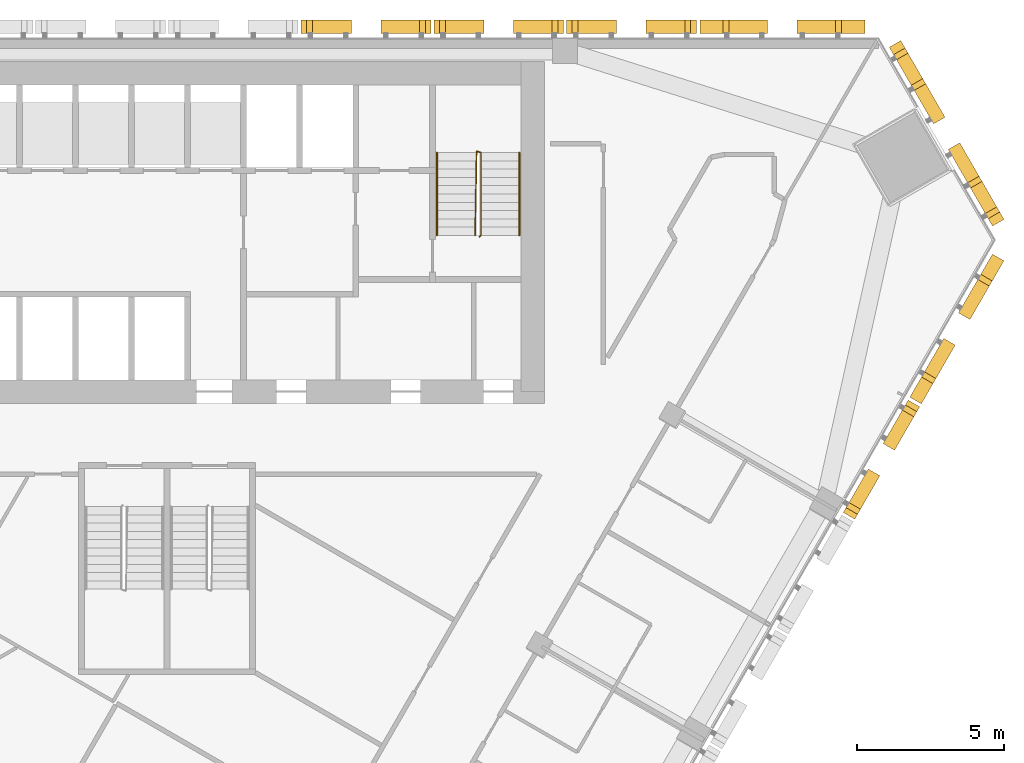
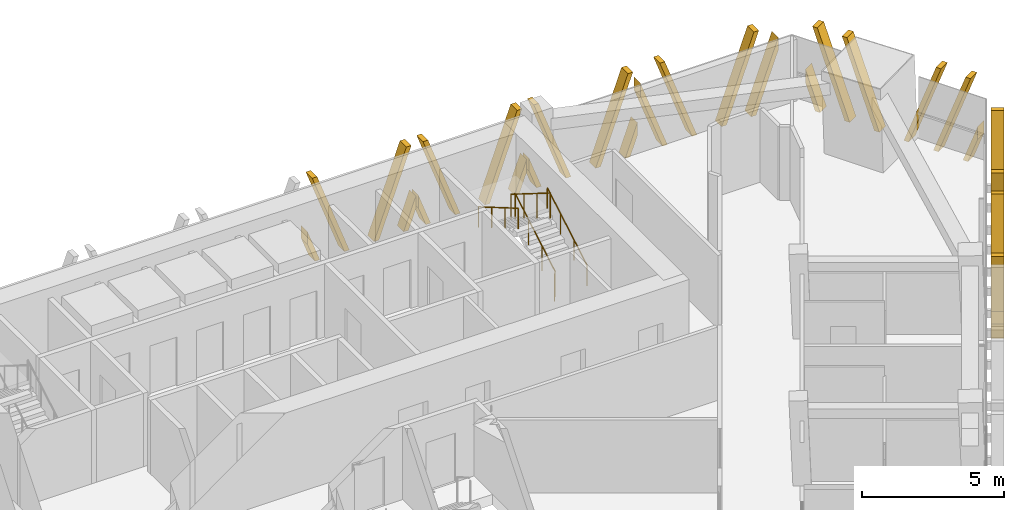
# One storey, part 15 of 16: 7 shading devices, 3 railings.
"""IFC4 building model written with IfcOpenShell, lengths in metres."""

from ifc_helpers import new_model, si_unit, direction, frame, origin, origin_2d, place, context, subcontext, project, spatial, polyline, circle, outline, extrude, source, transform, mapped, material, type_object, element, save


model = new_model("IFC4")

# Units and contexts
model_context = context("Model", 3, precision=1e-05, world=origin(), true_north=direction((0.0, 1.0)))
body_context = subcontext(model_context, "Body", "Model", "MODEL_VIEW")
ifc_project = project(units=[si_unit("LENGTHUNIT", "METRE"), si_unit("AREAUNIT", "SQUARE_METRE"), si_unit("VOLUMEUNIT", "CUBIC_METRE"), si_unit("PLANEANGLEUNIT", "RADIAN"), si_unit("MASSUNIT", "GRAM", prefix="KILO")], contexts=[model_context])

# Site, building, storey
site_placement = place(None, origin())
site = spatial("IfcSite", under=ifc_project, at=site_placement, CompositionType="ELEMENT")
building_placement = place(site_placement, origin())
building = spatial("IfcBuilding", under=site, at=building_placement, Name="Altiplano Prism Tower", CompositionType="ELEMENT")
storey_placement = place(building_placement, frame((0.0, 0.0, 124.199951171875)))
storey = spatial("IfcBuildingStorey", under=building, at=storey_placement, Name="L31", CompositionType="ELEMENT", Elevation=124.199951171875)

# Railings
ifc_material_1 = material(Name="Steel S355", Category="steel")
railing_type_1 = type_object("IfcRailingType", Name="Stair guard 1100", PredefinedType="GUARDRAIL", material=ifc_material_1)
railing_1_placement = place(storey_placement, frame((95.60009765625, 98.25, 0.0)))
element("IfcRailing", 1, at=railing_1_placement, inside=storey, type_object=railing_type_1, Name="L31 ST2 stair guard 1", PredefinedType="GUARDRAIL", context=body_context, shape_type="SweptSolid", body=[
    extrude(circle(Radius=0.02392578125, at=origin_2d()), frame((0.0, 0.0, 1.076171875), z_axis=(0.279546231943, 0.280916556609, 0.91811752648), x_axis=(-0.708833529934, 0.705375805398, 0.0)), (0.0, 0.0, 1.0), 0.17822265625),
    extrude(circle(Radius=0.02392578125, at=origin_2d()), frame((0.0498046875, 0.050048828125, 1.23974609375), z_axis=(0.0, 0.863360870873, 0.504586966384), x_axis=(-1.0, 0.0, 0.0)), (0.0, 0.0, 1.0), 3.2431640625),
    extrude(circle(Radius=0.02392578125, at=origin_2d()), frame((0.0498046875, 2.85009765625, 2.8759765625), z_axis=(-0.948991962702, 0.315300261223, 0.0), x_axis=(-0.315300261223, -0.948991962702, 0.0)), (0.0, 0.0, 1.0), 0.157958984375),
    extrude(circle(Radius=0.02392578125, at=origin_2d()), frame((-0.10009765625, 2.89990234375, 2.8759765625), z_axis=(-0.014846418356, -0.845376787675, 0.533964109957), x_axis=(0.999845825584, -0.017559187376, 0.0)), (0.0, 0.0, 1.0), 3.37109375),
    extrude(circle(Radius=0.02099609375, at=origin_2d()), origin(), (0.0, 0.0, 1.0), 1.052001953125),
    extrude(circle(Radius=0.02099609375, at=origin_2d()), frame((0.0498046875, 0.050048828125, 0.16357421875)), (0.0, 0.0, 1.0), 1.052001953125),
    extrude(circle(Radius=0.02099609375, at=origin_2d()), frame((0.0498046875, 0.9833984375, 0.708984375)), (0.0, 0.0, 1.0), 1.052001953125),
    extrude(circle(Radius=0.02099609375, at=origin_2d()), frame((0.0498046875, 1.916748046875, 1.254638671875)), (0.0, 0.0, 1.0), 1.052001953125),
    extrude(circle(Radius=0.02099609375, at=origin_2d()), frame((0.0498046875, 2.85009765625, 1.800048828125)), (0.0, 0.0, 1.0), 1.052001953125),
    extrude(circle(Radius=0.02099609375, at=origin_2d()), frame((-0.10009765625, 2.89990234375, 1.800048828125)), (0.0, 0.0, 1.0), 1.052001953125),
    extrude(circle(Radius=0.02099609375, at=origin_2d()), frame((-0.11669921875, 1.949951171875, 2.400146484375)), (0.0, 0.0, 1.0), 1.052001953125),
    extrude(circle(Radius=0.02099609375, at=origin_2d()), frame((-0.133544921875, 1.0, 3.0)), (0.0, 0.0, 1.0), 1.052001953125),
    extrude(circle(Radius=0.02099609375, at=origin_2d()), frame((-0.150146484375, 0.050048828125, 3.60009765625)), (0.0, 0.0, 1.0), 1.052001953125),
])
railing_type_2 = type_object("IfcRailingType", Name="Stair handrail 900", PredefinedType="HANDRAIL", material=ifc_material_1)
railing_2_placement = place(storey_placement, frame((96.949951171875, 98.300048828125, 0.16357421875)))
element("IfcRailing", 2, at=railing_2_placement, inside=storey, type_object=railing_type_2, Name="L31 ST2 stair handrail 1", PredefinedType="HANDRAIL", context=body_context, shape_type="SweptSolid", body=[
    extrude(circle(Radius=0.02392578125, at=origin_2d()), frame((0.0, 0.0, 0.8759765625), z_axis=(0.0, 0.863360870873, 0.504586966384), x_axis=(-1.0, 0.0, 0.0)), (0.0, 0.0, 1.0), 3.2431640625),
    extrude(circle(Radius=0.02099609375, at=origin_2d()), origin(), (0.0, 0.0, 1.0), 0.851806640625),
    extrude(circle(Radius=0.02099609375, at=origin_2d()), frame((0.0, 0.933349609375, 0.54541015625)), (0.0, 0.0, 1.0), 0.851806640625),
    extrude(circle(Radius=0.02099609375, at=origin_2d()), frame((0.0, 1.86669921875, 1.091064453125)), (0.0, 0.0, 1.0), 0.851806640625),
    extrude(circle(Radius=0.02099609375, at=origin_2d()), frame((0.0, 2.800048828125, 1.636474609375)), (0.0, 0.0, 1.0), 0.851806640625),
])
railing_3_placement = place(storey_placement, frame((94.14990234375, 101.10009765625, 1.963623046875)))
element("IfcRailing", 3, at=railing_3_placement, inside=storey, type_object=railing_type_2, Name="L31 ST2 stair handrail 2", PredefinedType="HANDRAIL", context=body_context, shape_type="SweptSolid", body=[
    extrude(circle(Radius=0.02392578125, at=origin_2d()), frame((0.0, 0.0, 0.8759765625), z_axis=(0.0, -0.863360870873, 0.504586966384), x_axis=(1.0, 0.0, 0.0)), (0.0, 0.0, 1.0), 3.2431640625),
    extrude(circle(Radius=0.02099609375, at=origin_2d()), origin(), (0.0, 0.0, 1.0), 0.851806640625),
    extrude(circle(Radius=0.02099609375, at=origin_2d()), frame((0.0, -0.933349609375, 0.54541015625)), (0.0, 0.0, 1.0), 0.851806640625),
    extrude(circle(Radius=0.02099609375, at=origin_2d()), frame((0.0, -1.86669921875, 1.091064453125)), (0.0, 0.0, 1.0), 0.851806640625),
    extrude(circle(Radius=0.02099609375, at=origin_2d()), frame((0.0, -2.800048828125, 1.636474609375)), (0.0, 0.0, 1.0), 0.851806640625),
])

# Shading devices
ifc_material_2 = material(Name="Warm limestone cast stone", Category="masonry")
shading_device_type_1 = type_object("IfcShadingDeviceType", Name="Stone fin panel, standard unit", PredefinedType="USERDEFINED", material=ifc_material_2)
shared_shape_1 = source(origin(), body_context, "Body", "SweptSolid", [
    extrude(outline(polyline([(-2.199951171875, 1.373779296875), (-2.199951171875, 0.82421875), (-1.89990234375, 0.0), (-1.699951171875, 0.0), (-2.199951171875, 1.373779296875)])), frame((0.0, -0.14990234375, 0.0), z_axis=(0.0, -1.0, 0.0), x_axis=(1.0, 0.0, 0.0)), (0.0, 0.0, 1.0), 0.4501953125),
    extrude(outline(polyline([(-2.01025390625, 3.60009765625), (-0.699951171875, 0.0), (-0.5, 0.0), (-1.810302734375, 3.60009765625), (-2.01025390625, 3.60009765625)])), frame((0.0, -0.14990234375, 0.0), z_axis=(0.0, -1.0, 0.0), x_axis=(1.0, 0.0, 0.0)), (0.0, 0.0, 1.0), 0.4501953125),
    extrude(outline(polyline([(1.810302734375, 3.60009765625), (0.5, 0.0), (0.699951171875, 0.0), (2.01025390625, 3.60009765625), (1.810302734375, 3.60009765625)])), frame((0.0, -0.14990234375, 0.0), z_axis=(0.0, -1.0, 0.0), x_axis=(1.0, 0.0, 0.0)), (0.0, 0.0, 1.0), 0.4501953125),
    extrude(outline(polyline([(2.199951171875, 0.82421875), (2.199951171875, 1.373779296875), (1.699951171875, 0.0), (1.89990234375, 0.0), (2.199951171875, 0.82421875)])), frame((0.0, -0.14990234375, 0.0), z_axis=(0.0, -1.0, 0.0), x_axis=(1.0, 0.0, 0.0)), (0.0, 0.0, 1.0), 0.4501953125),
])
shading_device_1_placement = place(storey_placement, origin())
element("IfcShadingDevice", 4, at=shading_device_1_placement, inside=storey, type_object=shading_device_type_1, Name="Fin L31 north face 2", ObjectType="FIN", PredefinedType="USERDEFINED", context=body_context, shape_type="MappedRepresentation", body=[
    mapped(shared_shape_1, transform((100.75, 105.0, -0.449951171875), x_axis=(-1.0, 0.0, 0.0), y_axis=(0.0, -1.0, 0.0), z_axis=(0.0, 0.0, 1.0))),
])
shading_device_2_placement = place(storey_placement, origin())
element("IfcShadingDevice", 5, at=shading_device_2_placement, inside=storey, type_object=shading_device_type_1, Name="Fin L31 north face 3", ObjectType="FIN", PredefinedType="USERDEFINED", context=body_context, shape_type="MappedRepresentation", body=[
    mapped(shared_shape_1, transform((96.25, 105.0, -0.449951171875), x_axis=(-1.0, 0.0, 0.0), y_axis=(0.0, -1.0, 0.0), z_axis=(0.0, 0.0, 1.0))),
])
shading_device_3_placement = place(storey_placement, origin())
element("IfcShadingDevice", 6, at=shading_device_3_placement, inside=storey, type_object=shading_device_type_1, Name="Fin L31 north face 4", ObjectType="FIN", PredefinedType="USERDEFINED", context=body_context, shape_type="MappedRepresentation", body=[
    mapped(shared_shape_1, transform((91.75, 105.0, -0.449951171875), x_axis=(-1.0, 0.0, 0.0), y_axis=(0.0, -1.0, 0.0), z_axis=(0.0, 0.0, 1.0))),
])
shading_device_4_placement = place(storey_placement, origin())
element("IfcShadingDevice", 7, at=shading_device_4_placement, inside=storey, type_object=shading_device_type_1, Name="Fin L31 south-east face 9", ObjectType="FIN", PredefinedType="USERDEFINED", context=body_context, shape_type="MappedRepresentation", body=[
    mapped(shared_shape_1, transform((108.90185546875, 90.880615234375, -0.449951171875), x_axis=(0.499999989809, 0.866025409668, 0.0), y_axis=(-0.866025409668, 0.499999989809, 0.0), z_axis=(0.0, 0.0, 1.0))),
])
shading_device_type_2 = type_object("IfcShadingDeviceType", Name="Stone fin panel, wide closing bay", PredefinedType="USERDEFINED", material=ifc_material_2)
shared_shape_2 = source(origin(), body_context, "Body", "SweptSolid", [
    extrude(outline(polyline([(-2.800048828125, 3.022216796875), (-2.800048828125, 2.47265625), (-1.89990234375, 0.0), (-1.699951171875, 0.0), (-2.800048828125, 3.022216796875)])), frame((0.0, -0.14990234375, 0.0), z_axis=(0.0, -1.0, 0.0), x_axis=(1.0, 0.0, 0.0)), (0.0, 0.0, 1.0), 0.4501953125),
    extrude(outline(polyline([(-2.01025390625, 3.60009765625), (-0.699951171875, 0.0), (-0.5, 0.0), (-1.810302734375, 3.60009765625), (-2.01025390625, 3.60009765625)])), frame((0.0, -0.14990234375, 0.0), z_axis=(0.0, -1.0, 0.0), x_axis=(1.0, 0.0, 0.0)), (0.0, 0.0, 1.0), 0.4501953125),
    extrude(outline(polyline([(1.810302734375, 3.60009765625), (0.5, 0.0), (0.699951171875, 0.0), (2.01025390625, 3.60009765625), (1.810302734375, 3.60009765625)])), frame((0.0, -0.14990234375, 0.0), z_axis=(0.0, -1.0, 0.0), x_axis=(1.0, 0.0, 0.0)), (0.0, 0.0, 1.0), 0.4501953125),
    extrude(outline(polyline([(2.800048828125, 2.47265625), (2.800048828125, 3.022216796875), (1.699951171875, 0.0), (1.89990234375, 0.0), (2.800048828125, 2.47265625)])), frame((0.0, -0.14990234375, 0.0), z_axis=(0.0, -1.0, 0.0), x_axis=(1.0, 0.0, 0.0)), (0.0, 0.0, 1.0), 0.4501953125),
])
shading_device_5_placement = place(storey_placement, origin())
element("IfcShadingDevice", 8, at=shading_device_5_placement, inside=storey, type_object=shading_device_type_2, Name="Fin L31 north face 1", ObjectType="FIN", PredefinedType="USERDEFINED", context=body_context, shape_type="MappedRepresentation", body=[
    mapped(shared_shape_2, transform((105.865966796875, 105.0, -0.449951171875), x_axis=(-1.0, 0.0, 0.0), y_axis=(0.0, -1.0, 0.0), z_axis=(0.0, 0.0, 1.0))),
])
shading_device_6_placement = place(storey_placement, origin())
element("IfcShadingDevice", 9, at=shading_device_6_placement, inside=storey, type_object=shading_device_type_2, Name="Fin L31 south-east face 10", ObjectType="FIN", PredefinedType="USERDEFINED", context=body_context, shape_type="MappedRepresentation", body=[
    mapped(shared_shape_2, transform((111.459716796875, 95.31103515625, -0.449951171875), x_axis=(0.499999989809, 0.866025409668, 0.0), y_axis=(-0.866025409668, 0.499999989809, 0.0), z_axis=(0.0, 0.0, 1.0))),
])
shading_device_type_3 = type_object("IfcShadingDeviceType", Name="Stone fin panel, chamfer unit", PredefinedType="USERDEFINED", material=ifc_material_2)
shared_shape_3 = source(origin(), body_context, "Body", "SweptSolid", [
    extrude(outline(polyline([(-3.5, 1.6484375), (-3.5, 1.09912109375), (-3.10009765625, 0.0), (-2.89990234375, 0.0), (-3.5, 1.6484375)])), frame((0.0, -0.14990234375, 0.0), z_axis=(0.0, -1.0, 0.0), x_axis=(1.0, 0.0, 0.0)), (0.0, 0.0, 1.0), 0.4501953125),
    extrude(outline(polyline([(-3.210205078125, 3.60009765625), (-1.89990234375, 0.0), (-1.699951171875, 0.0), (-3.01025390625, 3.60009765625), (-3.210205078125, 3.60009765625)])), frame((0.0, -0.14990234375, 0.0), z_axis=(0.0, -1.0, 0.0), x_axis=(1.0, 0.0, 0.0)), (0.0, 0.0, 1.0), 0.4501953125),
    extrude(outline(polyline([(-2.01025390625, 3.60009765625), (-0.699951171875, 0.0), (-0.5, 0.0), (-1.810302734375, 3.60009765625), (-2.01025390625, 3.60009765625)])), frame((0.0, -0.14990234375, 0.0), z_axis=(0.0, -1.0, 0.0), x_axis=(1.0, 0.0, 0.0)), (0.0, 0.0, 1.0), 0.4501953125),
    extrude(outline(polyline([(1.810302734375, 3.60009765625), (0.5, 0.0), (0.699951171875, 0.0), (2.01025390625, 3.60009765625), (1.810302734375, 3.60009765625)])), frame((0.0, -0.14990234375, 0.0), z_axis=(0.0, -1.0, 0.0), x_axis=(1.0, 0.0, 0.0)), (0.0, 0.0, 1.0), 0.4501953125),
    extrude(outline(polyline([(3.01025390625, 3.60009765625), (1.699951171875, 0.0), (1.89990234375, 0.0), (3.210205078125, 3.60009765625), (3.01025390625, 3.60009765625)])), frame((0.0, -0.14990234375, 0.0), z_axis=(0.0, -1.0, 0.0), x_axis=(1.0, 0.0, 0.0)), (0.0, 0.0, 1.0), 0.4501953125),
    extrude(outline(polyline([(3.5, 1.09912109375), (3.5, 1.6484375), (2.89990234375, 0.0), (3.10009765625, 0.0), (3.5, 1.09912109375)])), frame((0.0, -0.14990234375, 0.0), z_axis=(0.0, -1.0, 0.0), x_axis=(1.0, 0.0, 0.0)), (0.0, 0.0, 1.0), 0.4501953125),
])
shading_device_7_placement = place(storey_placement, origin())
element("IfcShadingDevice", 10, at=shading_device_7_placement, inside=storey, type_object=shading_device_type_3, Name="Fin L31 north-east chamfer 1", ObjectType="FIN", PredefinedType="USERDEFINED", context=body_context, shape_type="MappedRepresentation", body=[
    mapped(shared_shape_3, transform((111.1123046875, 101.56982421875, -0.449951171875), x_axis=(-0.499999997974, 0.866025404954, 0.0), y_axis=(-0.866025404954, -0.499999997974, 0.0), z_axis=(0.0, 0.0, 1.0))),
])

save(model, "model.ifc")
